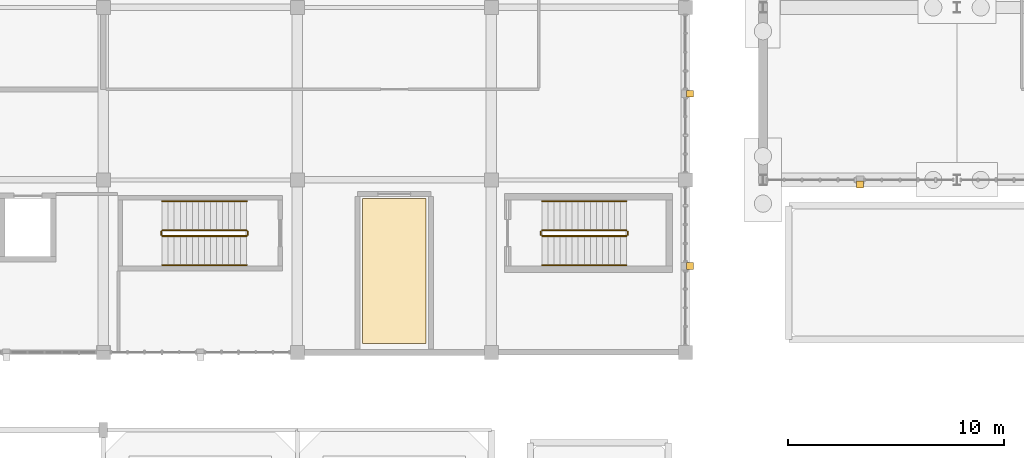
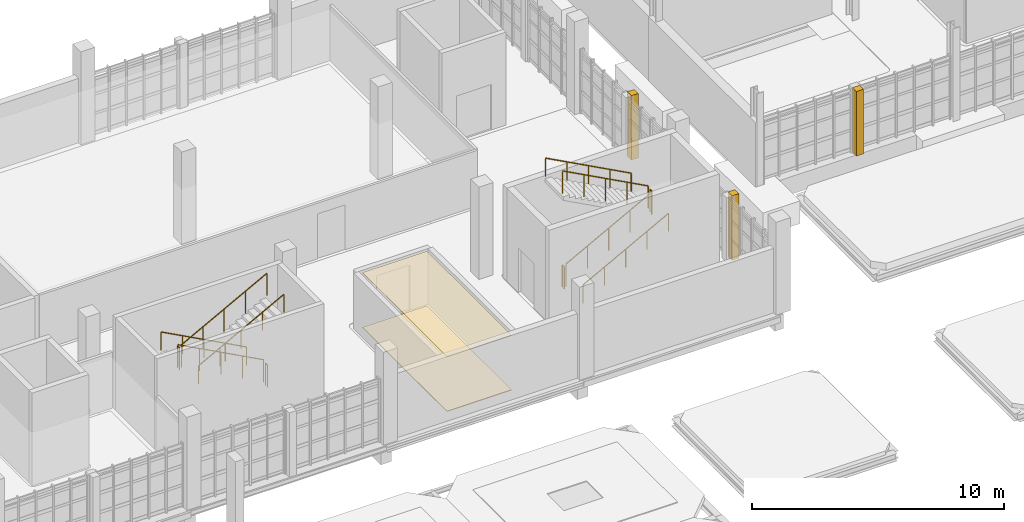
# One storey, part 118 of 125: 12 railings, 5 coverings.
"""IFC4 building model written with IfcOpenShell, lengths in metres."""

import ifcopenshell
import ifcopenshell.guid

model = None  # the IFC model being written
_history = None  # IfcOwnerHistory: only IFC2X3 demands one
_inside = {}  # id of a spatial element -> (the spatial element, [elements in it])
_under = {}  # id of a project, library or spatial element -> (it, [spatial elements below it])
_declared = {}  # id of a project -> (the project, [libraries it declares])
_typed = {}  # id of a type object -> (the type object, [elements of that type])
_made_of = {}  # id of a material, layer set ... -> (it, [elements and type objects made of it])


def new_model(schema):
    """Start an empty IFC model of exactly this schema.

    Asked for "IFC4X3", IfcOpenShell would pick the latest addendum, in which some entities
    have other attributes; the version numbers below select the first issue.
    IFC2X3 requires an IfcOwnerHistory on every rooted entity: one is made here for all.
    """
    global model, _history
    if schema == "IFC4X3":
        model = ifcopenshell.file(schema_version=(4, 3, 0, 0))
    else:
        model = ifcopenshell.file(schema=schema)
    _inside.clear()
    _under.clear()
    _declared.clear()
    _typed.clear()
    _made_of.clear()
    _history = None
    if model.schema == "IFC2X3":
        org = make("IfcOrganization", Name="unknown")
        user = make(
            "IfcPersonAndOrganization",
            ThePerson=make("IfcPerson", FamilyName="unknown"),
            TheOrganization=org,
        )
        app = make(
            "IfcApplication",
            ApplicationDeveloper=org,
            Version="unknown",
            ApplicationFullName="unknown",
            ApplicationIdentifier="unknown",
        )
        _history = make(
            "IfcOwnerHistory",
            OwningUser=user,
            OwningApplication=app,
            ChangeAction="ADDED",
            CreationDate=0,
        )
    return model


def make(cls, **values):
    """One entity of the class cls with the attributes given. An attribute that is None is left unset."""
    return model.create_entity(
        cls, **{name: value for name, value in values.items() if value is not None}
    )


def rooted(cls, **values):
    """An entity with a GlobalId (a new one), such as an element, a storey or a relation."""
    return make(cls, GlobalId=ifcopenshell.guid.new(), OwnerHistory=_history, **values)


def si_unit(unit_type, name, prefix=None):
    """IfcSIUnit, for example si_unit("LENGTHUNIT", "METRE", prefix="MILLI")."""
    return make("IfcSIUnit", UnitType=unit_type, Prefix=prefix, Name=name)


def assignment(units):
    """IfcUnitAssignment: the units of a project."""
    return None if units is None else make("IfcUnitAssignment", Units=units)


def point(xyz):
    """IfcCartesianPoint."""
    return None if xyz is None else make("IfcCartesianPoint", Coordinates=xyz)


def direction(xyz):
    """IfcDirection."""
    return None if xyz is None else make("IfcDirection", DirectionRatios=xyz)


def frame(location, z_axis=None, x_axis=None):
    """IfcAxis2Placement3D, a coordinate frame: its origin and axes. An axis left out is left unset."""
    return make(
        "IfcAxis2Placement3D",
        Location=point(location),
        Axis=direction(z_axis),
        RefDirection=direction(x_axis),
    )


def frame_2d(location, x_axis=None):
    """IfcAxis2Placement2D, a coordinate frame in the plane: its origin and x axis."""
    return make(
        "IfcAxis2Placement2D", Location=point(location), RefDirection=direction(x_axis)
    )


def origin():
    """The frame at (0, 0, 0) with its axes left unset."""
    return frame((0.0, 0.0, 0.0))


def origin_2d():
    """The frame at (0, 0) in the plane with its x axis left unset."""
    return frame_2d((0.0, 0.0))


def place(relative_to, where):
    """IfcLocalPlacement: puts the frame where relative to a parent placement (None: the world)."""
    return make(
        "IfcLocalPlacement", PlacementRelTo=relative_to, RelativePlacement=where
    )


def context(
    kind, dimensions, precision=None, world=None, true_north=None, identifier=None
):
    """IfcGeometricRepresentationContext, for example the 3D "Model" context."""
    return make(
        "IfcGeometricRepresentationContext",
        ContextIdentifier=identifier,
        ContextType=kind,
        CoordinateSpaceDimension=dimensions,
        Precision=precision,
        WorldCoordinateSystem=world,
        TrueNorth=true_north,
    )


def subcontext(parent, identifier, kind, view, scale=None):
    """IfcGeometricRepresentationSubContext, for example "Body" below "Model"."""
    return make(
        "IfcGeometricRepresentationSubContext",
        ContextIdentifier=identifier,
        ContextType=kind,
        ParentContext=parent,
        TargetScale=scale,
        TargetView=view,
    )


def project(units=None, contexts=None):
    """IfcProject with its units and contexts."""
    return rooted(
        "IfcProject",
        Name="project",
        RepresentationContexts=contexts,
        UnitsInContext=assignment(units),
    )


def spatial(cls, under=None, at=None, **own):
    """A site, building, storey or space (cls), placed at a placement, below another one or the project."""
    s = rooted(cls, ObjectPlacement=at, **own)
    if under is not None:
        _under.setdefault(under.id(), (under, []))[1].append(s)
    return s


def polyline(points):
    """IfcPolyline through the points."""
    return make("IfcPolyline", Points=[point(p) for p in points])


def profile(cls, at=None, kind="AREA", **sizes):
    """A parametric profile (cls). Its sizes go by their IFC names, for example OverallWidth=200.0."""
    return make(cls, ProfileType=kind, Position=at, **sizes)


def circle(**sizes):
    """IfcCircleProfileDef."""
    return profile("IfcCircleProfileDef", **sizes)


def outline(outer, holes=None, kind="AREA"):
    """IfcArbitraryClosedProfileDef: a profile drawn as a closed curve; with holes, ...WithVoids."""
    if holes is None:
        return make("IfcArbitraryClosedProfileDef", ProfileType=kind, OuterCurve=outer)
    return make(
        "IfcArbitraryProfileDefWithVoids",
        ProfileType=kind,
        OuterCurve=outer,
        InnerCurves=holes,
    )


def extrude(swept, where, along, depth):
    """IfcExtrudedAreaSolid: the profile swept, set in the frame where, extruded along a direction by depth."""
    return make(
        "IfcExtrudedAreaSolid",
        SweptArea=swept,
        Position=where,
        ExtrudedDirection=direction(along),
        Depth=depth,
    )


def shape(context_of_items, identifier, shape_type, items):
    """IfcShapeRepresentation: the items that make up one representation, for example the "Body"."""
    return make(
        "IfcShapeRepresentation",
        ContextOfItems=context_of_items,
        RepresentationIdentifier=identifier,
        RepresentationType=shape_type,
        Items=items,
    )


def material(Name=None, Category=None):
    """IfcMaterial."""
    return make("IfcMaterial", Name=Name, Category=Category)


def layer(
    of_material, thickness, ventilated=None, Name=None, Category=None, Priority=None
):
    """IfcMaterialLayer: one layer of a wall or slab, of a material (None: an air gap)."""
    return make(
        "IfcMaterialLayer",
        Material=of_material,
        LayerThickness=thickness,
        IsVentilated=ventilated,
        Name=Name,
        Category=Category,
        Priority=Priority,
    )


def layer_set(layers, Name=None):
    """IfcMaterialLayerSet."""
    return make("IfcMaterialLayerSet", MaterialLayers=layers, LayerSetName=Name)


def made_of(thing, what):
    """Note that an element or type object is made of a material, layer set ...; save() writes the relation."""
    if what is not None:
        _made_of.setdefault(what.id(), (what, []))[1].append(thing)
    return thing


def type_object(cls, material=None, **own):
    """A type object (cls), such as IfcWallType, which elements share."""
    return made_of(rooted(cls, **own), material)


def element(
    cls,
    number,
    at=None,
    inside=None,
    cuts=None,
    type_object=None,
    material=None,
    context=None,
    identifier="Body",
    shape_type=None,
    held_by="IfcProductDefinitionShape",
    body=None,
    shapes=None,
    **own,
):
    """One element of the class cls, such as IfcWall. Its Tag is "e" and its number.

    at: its placement. inside: the storey or other place that contains it. cuts: it is an
    opening in that element (IfcRelVoidsElement). A single representation is given by context,
    identifier, shape_type and body (its items); several are given by shapes. held_by: the class
    of the entity that holds the representations. save() writes the other relations.
    """
    e = rooted(cls, Tag="e%d" % number, ObjectPlacement=at, **own)
    if body is not None:
        shapes = [shape(context, identifier, shape_type, body)]
    if shapes is not None:
        e.Representation = make(held_by, Representations=shapes)
    if inside is not None:
        _inside.setdefault(inside.id(), (inside, []))[1].append(e)
    if cuts is not None:
        rooted(
            "IfcRelVoidsElement", RelatingBuildingElement=cuts, RelatedOpeningElement=e
        )
    if type_object is not None:
        _typed.setdefault(type_object.id(), (type_object, []))[1].append(e)
    return made_of(e, material)


def aggregate(whole, parts):
    """IfcRelAggregates: a whole, such as a stair, and the parts it consists of."""
    return rooted("IfcRelAggregates", RelatingObject=whole, RelatedObjects=parts)


def save(model, path):
    """Write the relations noted so far, then the file.

    IfcRelAggregates (storeys below a building ...), IfcRelContainedInSpatialStructure (elements
    in a storey), IfcRelDefinesByType, IfcRelAssociatesMaterial and IfcRelDeclares: one each for
    every whole, place, type object, material and project.
    """
    for whole, parts in _under.values():
        aggregate(whole, parts)
    for where, things in _inside.values():
        rooted(
            "IfcRelContainedInSpatialStructure",
            RelatedElements=things,
            RelatingStructure=where,
        )
    for kind, things in _typed.values():
        rooted("IfcRelDefinesByType", RelatedObjects=things, RelatingType=kind)
    for what, things in _made_of.values():
        rooted("IfcRelAssociatesMaterial", RelatedObjects=things, RelatingMaterial=what)
    for by, libraries in _declared.values():
        rooted("IfcRelDeclares", RelatingContext=by, RelatedDefinitions=libraries)
    model.write(path)


model = new_model("IFC4")

# Units and contexts
model_context = context("Model", 3, precision=1e-05, world=origin(), true_north=direction((0.0, 1.0)))
body_context = subcontext(model_context, "Body", "Model", "MODEL_VIEW")
ifc_project = project(units=[si_unit("LENGTHUNIT", "METRE"), si_unit("AREAUNIT", "SQUARE_METRE"), si_unit("VOLUMEUNIT", "CUBIC_METRE"), si_unit("PLANEANGLEUNIT", "RADIAN"), si_unit("MASSUNIT", "GRAM", prefix="KILO")], contexts=[model_context])

# Site, building, storey
site_placement = place(None, origin())
site = spatial("IfcSite", under=ifc_project, at=site_placement, CompositionType="ELEMENT")
building_placement = place(site_placement, origin())
building = spatial("IfcBuilding", under=site, at=building_placement, Name="Serraforn Aerial Cableway Station", CompositionType="ELEMENT")
storey_placement = place(building_placement, frame((0.0, 0.0, 4.5)))
storey = spatial("IfcBuildingStorey", under=building, at=storey_placement, Name="L01", CompositionType="ELEMENT", Elevation=4.5)

# Coverings
ifc_material_1 = material(Name="Fluted patinated bronze Art Deco pilaster cladding")
ifc_layer_1 = layer(ifc_material_1, 0.034912109375)
ifc_layer_set_1 = layer_set([ifc_layer_1], Name="Fluted patinated bronze Art Deco pilaster cladding")
covering_type_1 = type_object("IfcCoveringType", Name="COV-CLAD-BRZ", PredefinedType="CLADDING", material=ifc_layer_set_1)
covering_1_placement = place(storey_placement, origin())
element("IfcCovering", 1, at=covering_1_placement, inside=storey, type_object=covering_type_1, Name="Art Deco Bronze Pilaster Cladding CV-L01-E1", PredefinedType="CLADDING", context=body_context, shape_type="SweptSolid", body=[
    extrude(outline(polyline([(90.659912109375, 21.840087890625), (90.97998046875, 21.840087890625), (90.97998046875, 22.159912109375), (90.659912109375, 22.159912109375), (90.659912109375, 21.840087890625)])), origin(), (0.0, 0.0, 1.0), 3.1201171875),
])
covering_2_placement = place(storey_placement, origin())
element("IfcCovering", 2, at=covering_2_placement, inside=storey, type_object=covering_type_1, Name="Art Deco Bronze Pilaster Cladding CV-L01-E2", PredefinedType="CLADDING", context=body_context, shape_type="SweptSolid", body=[
    extrude(outline(polyline([(90.659912109375, 29.840087890625), (90.97998046875, 29.840087890625), (90.97998046875, 30.159912109375), (90.659912109375, 30.159912109375), (90.659912109375, 29.840087890625)])), origin(), (0.0, 0.0, 1.0), 3.1201171875),
])
covering_3_placement = place(storey_placement, origin())
element("IfcCovering", 3, at=covering_3_placement, inside=storey, type_object=covering_type_1, Name="Art Deco Bronze Pilaster Cladding EL-L01-S1", PredefinedType="CLADDING", context=body_context, shape_type="SweptSolid", body=[
    extrude(outline(polyline([(98.5400390625, 25.6201171875), (98.860107421875, 25.6201171875), (98.860107421875, 25.93994140625), (98.5400390625, 25.93994140625), (98.5400390625, 25.6201171875)])), origin(), (0.0, 0.0, 1.0), 3.1201171875),
])
ifc_material_2 = material(Name="Fire-protective gypsum board ceiling")
ifc_layer_2 = layer(ifc_material_2, 0.02001953125)
ifc_layer_set_2 = layer_set([ifc_layer_2], Name="Fire-protective gypsum board ceiling")
covering_type_2 = type_object("IfcCoveringType", Name="COV-CLG-GYP", PredefinedType="CEILING", material=ifc_layer_set_2)
covering_4_placement = place(storey_placement, frame((0.0, 0.0, 2.659912109375)))
element("IfcCovering", 4, at=covering_4_placement, inside=storey, type_object=covering_type_2, Name="Suspended Ceiling L01-08", PredefinedType="CEILING", context=body_context, shape_type="SweptSolid", body=[
    extrude(outline(polyline([(75.6201171875, 18.419921875), (75.6201171875, 25.1298828125), (78.580078125, 25.1298828125), (78.580078125, 18.419921875), (75.6201171875, 18.419921875)])), origin(), (0.0, 0.0, 1.0), 0.02001953125),
])
ifc_material_3 = material(Name="Honed Montjuic limestone flooring", Category="masonry")
ifc_layer_3 = layer(ifc_material_3, 0.030029296875)
ifc_layer_set_3 = layer_set([ifc_layer_3], Name="Honed Montjuic limestone flooring")
covering_type_3 = type_object("IfcCoveringType", Name="COV-FLR-STN", PredefinedType="FLOORING", material=ifc_layer_set_3)
covering_5_placement = place(storey_placement, origin())
element("IfcCovering", 5, at=covering_5_placement, inside=storey, type_object=covering_type_3, Name="Flooring L01-08", PredefinedType="FLOORING", context=body_context, shape_type="SweptSolid", body=[
    extrude(outline(polyline([(75.6201171875, 18.419921875), (75.6201171875, 25.1298828125), (78.580078125, 25.1298828125), (78.580078125, 18.419921875), (75.6201171875, 18.419921875)])), origin(), (0.0, 0.0, 1.0), 0.030029296875),
])

# Railings
ifc_material_4 = material(Name="Patinated bronze stair guardrail")
ifc_layer_4 = layer(ifc_material_4, 0.050048828125)
ifc_layer_set_4 = layer_set([ifc_layer_4], Name="Patinated bronze stair guardrail")
railing_type_1 = type_object("IfcRailingType", Name="RL-STR-GRD", PredefinedType="GUARDRAIL", material=ifc_layer_set_4)
railing_1_placement = place(storey_placement, frame((70.25, 23.659912109375, 0.14990234375)))
element("IfcRailing", 6, at=railing_1_placement, inside=storey, type_object=railing_type_1, Name="L01 ST-05 stair guard 1", PredefinedType="GUARDRAIL", context=body_context, shape_type="SweptSolid", body=[
    extrude(circle(Radius=0.02392578125, at=origin_2d()), frame((0.0, 0.0, 1.076171875), z_axis=(-0.881466911329, 0.0, 0.472245787945), x_axis=(0.0, -1.0, 0.0)), (0.0, 0.0, 1.0), 4.447021484375),
    extrude(circle(Radius=0.02099609375, at=origin_2d()), origin(), (0.0, 0.0, 1.0), 1.052001953125),
    extrude(circle(Radius=0.02099609375, at=origin_2d()), frame((-0.97998046875, 0.0, 0.52490234375)), (0.0, 0.0, 1.0), 1.052001953125),
    extrude(circle(Radius=0.02099609375, at=origin_2d()), frame((-1.9599609375, 0.0, 1.050048828125)), (0.0, 0.0, 1.0), 1.052001953125),
    extrude(circle(Radius=0.02099609375, at=origin_2d()), frame((-2.93994140625, 0.0, 1.5751953125)), (0.0, 0.0, 1.0), 1.052001953125),
    extrude(circle(Radius=0.02099609375, at=origin_2d()), frame((-3.919921875, 0.0, 2.10009765625)), (0.0, 0.0, 1.0), 1.052001953125),
])
railing_2_placement = place(storey_placement, frame((66.280029296875, 23.610107421875, 2.25)))
element("IfcRailing", 7, at=railing_2_placement, inside=storey, type_object=railing_type_1, Name="L01 ST-05 stair guard 2", PredefinedType="GUARDRAIL", context=body_context, shape_type="SweptSolid", body=[
    extrude(circle(Radius=0.02392578125, at=origin_2d()), frame((0.0, 0.0, 1.076171875), z_axis=(0.0, -1.0, 0.0), x_axis=(1.0, 0.0, 0.0)), (0.0, 0.0, 1.0), 0.16015625),
    extrude(circle(Radius=0.02099609375, at=origin_2d()), origin(), (0.0, 0.0, 1.0), 1.052001953125),
    extrude(circle(Radius=0.02099609375, at=origin_2d()), frame((0.0, -0.16015625, 0.0)), (0.0, 0.0, 1.0), 1.052001953125),
])
railing_3_placement = place(storey_placement, frame((66.330078125, 23.39990234375, 2.39990234375)))
element("IfcRailing", 8, at=railing_3_placement, inside=storey, type_object=railing_type_1, Name="L01 ST-05 stair guard 3", PredefinedType="GUARDRAIL", context=body_context, shape_type="SweptSolid", body=[
    extrude(circle(Radius=0.02392578125, at=origin_2d()), frame((0.0, 0.0, 1.076171875), z_axis=(0.881466911329, 0.0, 0.472245787945), x_axis=(0.0, 1.0, 0.0)), (0.0, 0.0, 1.0), 4.447021484375),
    extrude(circle(Radius=0.02099609375, at=origin_2d()), origin(), (0.0, 0.0, 1.0), 1.052001953125),
    extrude(circle(Radius=0.02099609375, at=origin_2d()), frame((0.97998046875, 0.0, 0.52490234375)), (0.0, 0.0, 1.0), 1.052001953125),
    extrude(circle(Radius=0.02099609375, at=origin_2d()), frame((1.9599609375, 0.0, 1.050048828125)), (0.0, 0.0, 1.0), 1.052001953125),
    extrude(circle(Radius=0.02099609375, at=origin_2d()), frame((2.93994140625, 0.0, 1.5751953125)), (0.0, 0.0, 1.0), 1.052001953125),
    extrude(circle(Radius=0.02099609375, at=origin_2d()), frame((3.919921875, 0.0, 2.10009765625)), (0.0, 0.0, 1.0), 1.052001953125),
])
railing_4_placement = place(storey_placement, frame((70.300048828125, 23.610107421875, 0.0)))
element("IfcRailing", 9, at=railing_4_placement, inside=storey, type_object=railing_type_1, Name="L01 ST-05 stair guard 4", PredefinedType="GUARDRAIL", context=body_context, shape_type="SweptSolid", body=[
    extrude(circle(Radius=0.02392578125, at=origin_2d()), frame((0.0, 0.0, 1.076171875), z_axis=(0.0, -1.0, 0.0), x_axis=(1.0, 0.0, 0.0)), (0.0, 0.0, 1.0), 0.16015625),
    extrude(circle(Radius=0.02099609375, at=origin_2d()), origin(), (0.0, 0.0, 1.0), 1.052001953125),
    extrude(circle(Radius=0.02099609375, at=origin_2d()), frame((0.0, -0.16015625, 0.0)), (0.0, 0.0, 1.0), 1.052001953125),
])
railing_5_placement = place(storey_placement, frame((83.949951171875, 23.39990234375, 0.14990234375)))
element("IfcRailing", 10, at=railing_5_placement, inside=storey, type_object=railing_type_1, Name="L01 ST-13 stair guard 1", PredefinedType="GUARDRAIL", context=body_context, shape_type="SweptSolid", body=[
    extrude(circle(Radius=0.02392578125, at=origin_2d()), frame((0.0, 0.0, 1.076171875), z_axis=(0.881479153919, 0.0, 0.472222935917), x_axis=(0.0, 1.0, 0.0)), (0.0, 0.0, 1.0), 4.447265625),
    extrude(circle(Radius=0.02099609375, at=origin_2d()), origin(), (0.0, 0.0, 1.0), 1.052001953125),
    extrude(circle(Radius=0.02099609375, at=origin_2d()), frame((0.97998046875, 0.0, 0.52490234375)), (0.0, 0.0, 1.0), 1.052001953125),
    extrude(circle(Radius=0.02099609375, at=origin_2d()), frame((1.9599609375, 0.0, 1.050048828125)), (0.0, 0.0, 1.0), 1.052001953125),
    extrude(circle(Radius=0.02099609375, at=origin_2d()), frame((2.940185546875, 0.0, 1.5751953125)), (0.0, 0.0, 1.0), 1.052001953125),
    extrude(circle(Radius=0.02099609375, at=origin_2d()), frame((3.920166015625, 0.0, 2.10009765625)), (0.0, 0.0, 1.0), 1.052001953125),
])
railing_6_placement = place(storey_placement, frame((87.919921875, 23.449951171875, 2.25)))
element("IfcRailing", 11, at=railing_6_placement, inside=storey, type_object=railing_type_1, Name="L01 ST-13 stair guard 2", PredefinedType="GUARDRAIL", context=body_context, shape_type="SweptSolid", body=[
    extrude(circle(Radius=0.02392578125, at=origin_2d()), frame((0.0, 0.0, 1.076171875), z_axis=(0.0, 1.0, 0.0), x_axis=(-1.0, 0.0, 0.0)), (0.0, 0.0, 1.0), 0.16015625),
    extrude(circle(Radius=0.02099609375, at=origin_2d()), origin(), (0.0, 0.0, 1.0), 1.052001953125),
    extrude(circle(Radius=0.02099609375, at=origin_2d()), frame((0.0, 0.16015625, 0.0)), (0.0, 0.0, 1.0), 1.052001953125),
])
railing_7_placement = place(storey_placement, frame((87.8701171875, 23.659912109375, 2.39990234375)))
element("IfcRailing", 12, at=railing_7_placement, inside=storey, type_object=railing_type_1, Name="L01 ST-13 stair guard 3", PredefinedType="GUARDRAIL", context=body_context, shape_type="SweptSolid", body=[
    extrude(circle(Radius=0.02392578125, at=origin_2d()), frame((0.0, 0.0, 1.076171875), z_axis=(-0.881479153919, 0.0, 0.472222935917), x_axis=(0.0, -1.0, 0.0)), (0.0, 0.0, 1.0), 4.447265625),
    extrude(circle(Radius=0.02099609375, at=origin_2d()), origin(), (0.0, 0.0, 1.0), 1.052001953125),
    extrude(circle(Radius=0.02099609375, at=origin_2d()), frame((-0.97998046875, 0.0, 0.52490234375)), (0.0, 0.0, 1.0), 1.052001953125),
    extrude(circle(Radius=0.02099609375, at=origin_2d()), frame((-1.9599609375, 0.0, 1.050048828125)), (0.0, 0.0, 1.0), 1.052001953125),
    extrude(circle(Radius=0.02099609375, at=origin_2d()), frame((-2.940185546875, 0.0, 1.5751953125)), (0.0, 0.0, 1.0), 1.052001953125),
    extrude(circle(Radius=0.02099609375, at=origin_2d()), frame((-3.920166015625, 0.0, 2.10009765625)), (0.0, 0.0, 1.0), 1.052001953125),
])
railing_8_placement = place(storey_placement, frame((83.89990234375, 23.449951171875, 0.0)))
element("IfcRailing", 13, at=railing_8_placement, inside=storey, type_object=railing_type_1, Name="L01 ST-13 stair guard 4", PredefinedType="GUARDRAIL", context=body_context, shape_type="SweptSolid", body=[
    extrude(circle(Radius=0.02392578125, at=origin_2d()), frame((0.0, 0.0, 1.076171875), z_axis=(0.0, 1.0, 0.0), x_axis=(-1.0, 0.0, 0.0)), (0.0, 0.0, 1.0), 0.16015625),
    extrude(circle(Radius=0.02099609375, at=origin_2d()), origin(), (0.0, 0.0, 1.0), 1.052001953125),
    extrude(circle(Radius=0.02099609375, at=origin_2d()), frame((0.0, 0.16015625, 0.0)), (0.0, 0.0, 1.0), 1.052001953125),
])
ifc_material_5 = material(Name="Brushed bronze tubular handrail")
ifc_layer_5 = layer(ifc_material_5, 0.048095703125)
ifc_layer_set_5 = layer_set([ifc_layer_5], Name="Brushed bronze tubular handrail")
railing_type_2 = type_object("IfcRailingType", Name="RL-STR-HDR", PredefinedType="HANDRAIL", material=ifc_layer_set_5)
railing_9_placement = place(storey_placement, frame((70.25, 25.010009765625, 0.14990234375)))
element("IfcRailing", 14, at=railing_9_placement, inside=storey, type_object=railing_type_2, Name="L01 ST-05 stair handrail 1", PredefinedType="HANDRAIL", context=body_context, shape_type="SweptSolid", body=[
    extrude(circle(Radius=0.02392578125, at=origin_2d()), frame((0.0, 0.0, 0.8759765625), z_axis=(-0.881466911329, 0.0, 0.472245787945), x_axis=(0.0, -1.0, 0.0)), (0.0, 0.0, 1.0), 4.447021484375),
    extrude(circle(Radius=0.02099609375, at=origin_2d()), origin(), (0.0, 0.0, 1.0), 0.851806640625),
    extrude(circle(Radius=0.02099609375, at=origin_2d()), frame((-0.97998046875, 0.0, 0.52490234375)), (0.0, 0.0, 1.0), 0.851806640625),
    extrude(circle(Radius=0.02099609375, at=origin_2d()), frame((-1.9599609375, 0.0, 1.050048828125)), (0.0, 0.0, 1.0), 0.851806640625),
    extrude(circle(Radius=0.02099609375, at=origin_2d()), frame((-2.93994140625, 0.0, 1.5751953125)), (0.0, 0.0, 1.0), 0.851806640625),
    extrude(circle(Radius=0.02099609375, at=origin_2d()), frame((-3.919921875, 0.0, 2.10009765625)), (0.0, 0.0, 1.0), 0.851806640625),
])
railing_10_placement = place(storey_placement, frame((66.330078125, 22.050048828125, 2.39990234375)))
element("IfcRailing", 15, at=railing_10_placement, inside=storey, type_object=railing_type_2, Name="L01 ST-05 stair handrail 2", PredefinedType="HANDRAIL", context=body_context, shape_type="SweptSolid", body=[
    extrude(circle(Radius=0.02392578125, at=origin_2d()), frame((0.0, 0.0, 0.8759765625), z_axis=(0.881466911329, 0.0, 0.472245787945), x_axis=(0.0, 1.0, 0.0)), (0.0, 0.0, 1.0), 4.447021484375),
    extrude(circle(Radius=0.02099609375, at=origin_2d()), origin(), (0.0, 0.0, 1.0), 0.851806640625),
    extrude(circle(Radius=0.02099609375, at=origin_2d()), frame((0.97998046875, 0.0, 0.52490234375)), (0.0, 0.0, 1.0), 0.851806640625),
    extrude(circle(Radius=0.02099609375, at=origin_2d()), frame((1.9599609375, 0.0, 1.050048828125)), (0.0, 0.0, 1.0), 0.851806640625),
    extrude(circle(Radius=0.02099609375, at=origin_2d()), frame((2.93994140625, 0.0, 1.5751953125)), (0.0, 0.0, 1.0), 0.851806640625),
    extrude(circle(Radius=0.02099609375, at=origin_2d()), frame((3.919921875, 0.0, 2.10009765625)), (0.0, 0.0, 1.0), 0.851806640625),
])
railing_11_placement = place(storey_placement, frame((83.949951171875, 22.050048828125, 0.14990234375)))
element("IfcRailing", 16, at=railing_11_placement, inside=storey, type_object=railing_type_2, Name="L01 ST-13 stair handrail 1", PredefinedType="HANDRAIL", context=body_context, shape_type="SweptSolid", body=[
    extrude(circle(Radius=0.02392578125, at=origin_2d()), frame((0.0, 0.0, 0.8759765625), z_axis=(0.881479153919, 0.0, 0.472222935917), x_axis=(0.0, 1.0, 0.0)), (0.0, 0.0, 1.0), 4.447265625),
    extrude(circle(Radius=0.02099609375, at=origin_2d()), origin(), (0.0, 0.0, 1.0), 0.851806640625),
    extrude(circle(Radius=0.02099609375, at=origin_2d()), frame((0.97998046875, 0.0, 0.52490234375)), (0.0, 0.0, 1.0), 0.851806640625),
    extrude(circle(Radius=0.02099609375, at=origin_2d()), frame((1.9599609375, 0.0, 1.050048828125)), (0.0, 0.0, 1.0), 0.851806640625),
    extrude(circle(Radius=0.02099609375, at=origin_2d()), frame((2.940185546875, 0.0, 1.5751953125)), (0.0, 0.0, 1.0), 0.851806640625),
    extrude(circle(Radius=0.02099609375, at=origin_2d()), frame((3.920166015625, 0.0, 2.10009765625)), (0.0, 0.0, 1.0), 0.851806640625),
])
railing_12_placement = place(storey_placement, frame((87.8701171875, 25.010009765625, 2.39990234375)))
element("IfcRailing", 17, at=railing_12_placement, inside=storey, type_object=railing_type_2, Name="L01 ST-13 stair handrail 2", PredefinedType="HANDRAIL", context=body_context, shape_type="SweptSolid", body=[
    extrude(circle(Radius=0.02392578125, at=origin_2d()), frame((0.0, 0.0, 0.8759765625), z_axis=(-0.881479153919, 0.0, 0.472222935917), x_axis=(0.0, -1.0, 0.0)), (0.0, 0.0, 1.0), 4.447265625),
    extrude(circle(Radius=0.02099609375, at=origin_2d()), origin(), (0.0, 0.0, 1.0), 0.851806640625),
    extrude(circle(Radius=0.02099609375, at=origin_2d()), frame((-0.97998046875, 0.0, 0.52490234375)), (0.0, 0.0, 1.0), 0.851806640625),
    extrude(circle(Radius=0.02099609375, at=origin_2d()), frame((-1.9599609375, 0.0, 1.050048828125)), (0.0, 0.0, 1.0), 0.851806640625),
    extrude(circle(Radius=0.02099609375, at=origin_2d()), frame((-2.940185546875, 0.0, 1.5751953125)), (0.0, 0.0, 1.0), 0.851806640625),
    extrude(circle(Radius=0.02099609375, at=origin_2d()), frame((-3.920166015625, 0.0, 2.10009765625)), (0.0, 0.0, 1.0), 0.851806640625),
])

save(model, "model.ifc")
